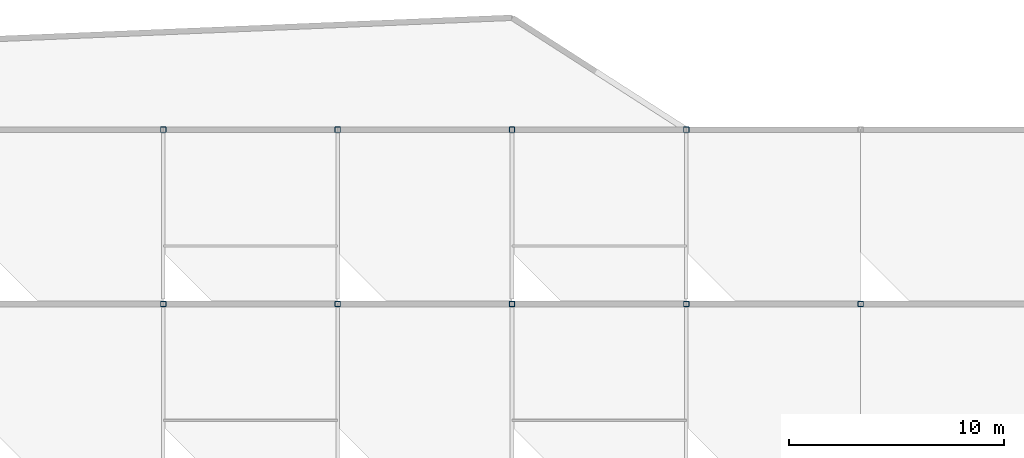
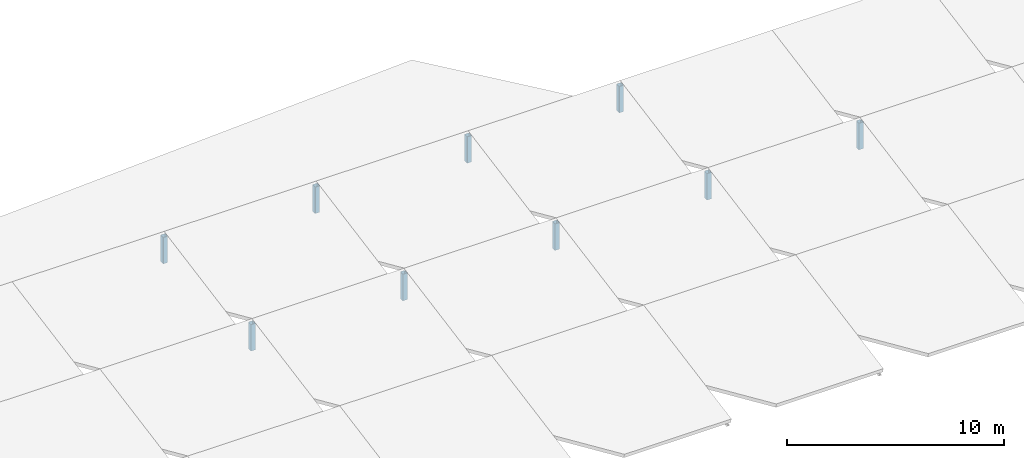
# One storey, part 8 of 33: 9 columns.
"""IFC4 building model written with IfcOpenShell, lengths in metres."""

from ifc_helpers import new_model, si_unit, direction, frame, origin, origin_2d, place, context, subcontext, project, spatial, hollow_rectangle, extrude, material, material_profile, profile_set, type_object, element, save


model = new_model("IFC4")

# Units and contexts
model_context = context("Model", 3, precision=1e-05, world=origin(), true_north=direction((0.0, 1.0)))
body_context = subcontext(model_context, "Body", "Model", "MODEL_VIEW")
ifc_project = project(units=[si_unit("LENGTHUNIT", "METRE"), si_unit("AREAUNIT", "SQUARE_METRE"), si_unit("VOLUMEUNIT", "CUBIC_METRE"), si_unit("PLANEANGLEUNIT", "RADIAN"), si_unit("MASSUNIT", "GRAM", prefix="KILO")], contexts=[model_context])

# Site, building, storey
site_placement = place(None, origin())
site = spatial("IfcSite", under=ifc_project, at=site_placement, CompositionType="ELEMENT")
building_placement = place(site_placement, origin())
building = spatial("IfcBuilding", under=site, at=building_placement, Name="Vaudrelin Polytechnic", CompositionType="ELEMENT")
storey_placement = place(building_placement, frame((0.0, 0.0, 27.3701171875)))
storey = spatial("IfcBuildingStorey", under=building, at=storey_placement, Name="L06", CompositionType="ELEMENT", Elevation=27.3701171875)

# Columns
ifc_material = material(Name="Steel CSA G40.21 350W", Category="steel")
ifc_material_profile = material_profile(ifc_material, hollow_rectangle(XDim=0.25390625, YDim=0.25390625, WallThickness=0.0126953125, InnerFilletRadius=0.0126953125, OuterFilletRadius=0.025390625, at=origin_2d()), Name="HSS254x254x12.7")
ifc_profile_set = profile_set([ifc_material_profile], Name="Steel CSA G40.21 350W")
column_type = type_object("IfcColumnType", Name="COL-C-HSS254", PredefinedType="COLUMN", material=ifc_profile_set)
for number, where, z_axis, x_axis, name in (
    (1, (81.0, 113.39990234375, 0.0), (0.0, 0.0, 1.0), (1.0, 0.0, 0.0), "Sawtooth north clerestory post 10-14"),
    (2, (89.10009765625, 113.39990234375, 0.0), (0.0, 0.0, 1.0), (1.0, 0.0, 0.0), "Sawtooth north clerestory post 11-14"),
    (3, (97.199951171875, 113.39990234375, 0.0), (0.0, 0.0, 1.0), (1.0, 0.0, 0.0), "Sawtooth north clerestory post 12-14"),
    (4, (105.300048828125, 113.39990234375, 0.0), (0.0, 0.0, 1.0), (1.0, 0.0, 0.0), "Sawtooth north clerestory post 13-14"),
    (5, (113.39990234375, 113.39990234375, 0.0), (0.0, 0.0, 1.0), (1.0, 0.0, 0.0), "Sawtooth north clerestory post 14-14"),
    (6, (81.0, 121.5, 0.0), (0.0, 0.0, 1.0), (1.0, 0.0, 0.0), "Sawtooth north clerestory post 10-15"),
    (7, (89.10009765625, 121.5, 0.0), (0.0, 0.0, 1.0), (1.0, 0.0, 0.0), "Sawtooth north clerestory post 11-15"),
    (8, (97.199951171875, 121.5, 0.0), (0.0, 0.0, 1.0), (1.0, 0.0, 0.0), "Sawtooth north clerestory post 12-15"),
    (9, (105.300048828125, 121.5, 0.0), (0.0, 0.0, 1.0), (1.0, 0.0, 0.0), "Sawtooth north clerestory post 13-15"),
):
    element("IfcColumn", number, at=place(storey_placement, frame(where, z_axis=z_axis, x_axis=x_axis)), inside=storey, type_object=column_type, Name=name, PredefinedType="COLUMN", context=body_context, shape_type="SweptSolid", body=[
        extrude(hollow_rectangle(XDim=0.25390625, YDim=0.25390625, WallThickness=0.0126953125, InnerFilletRadius=0.0126953125, OuterFilletRadius=0.025390625, at=origin_2d()), origin(), (0.0, 0.0, 1.0), 1.490966796875),
    ])

save(model, "model.ifc")
